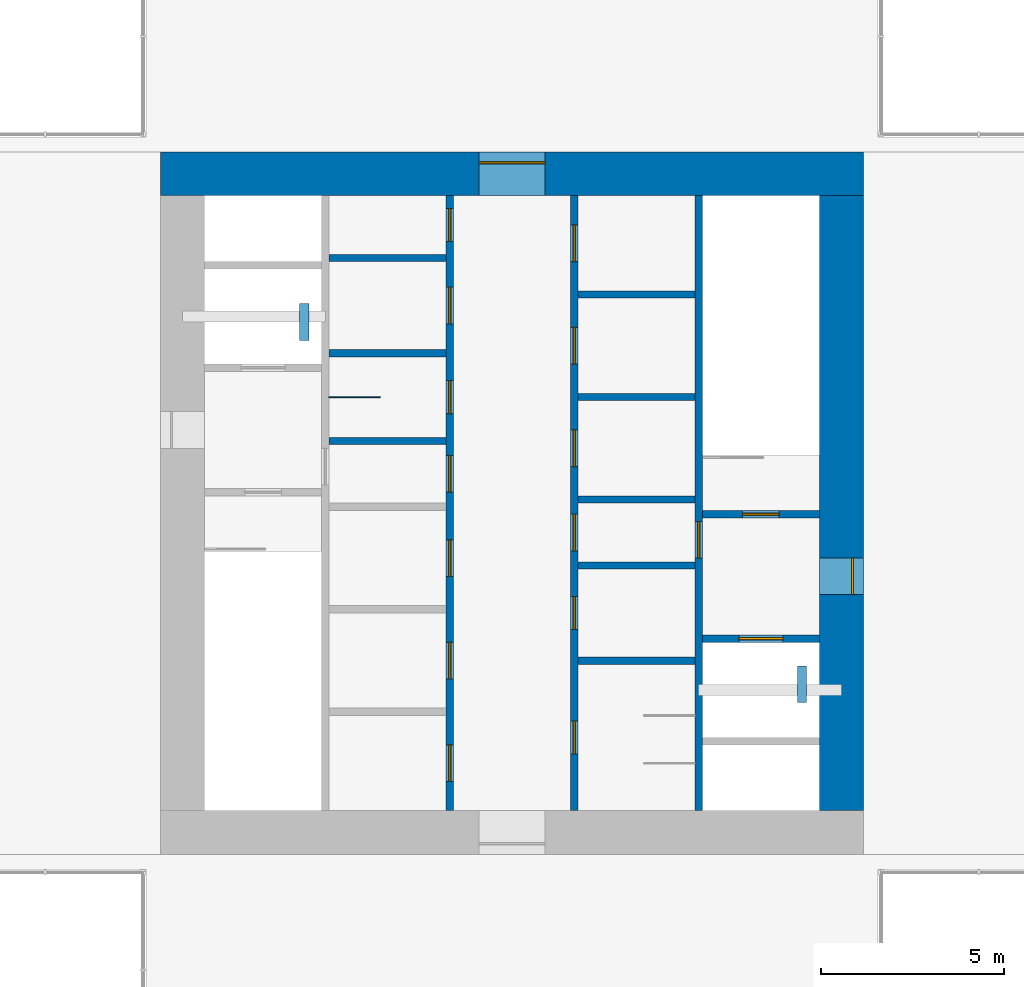
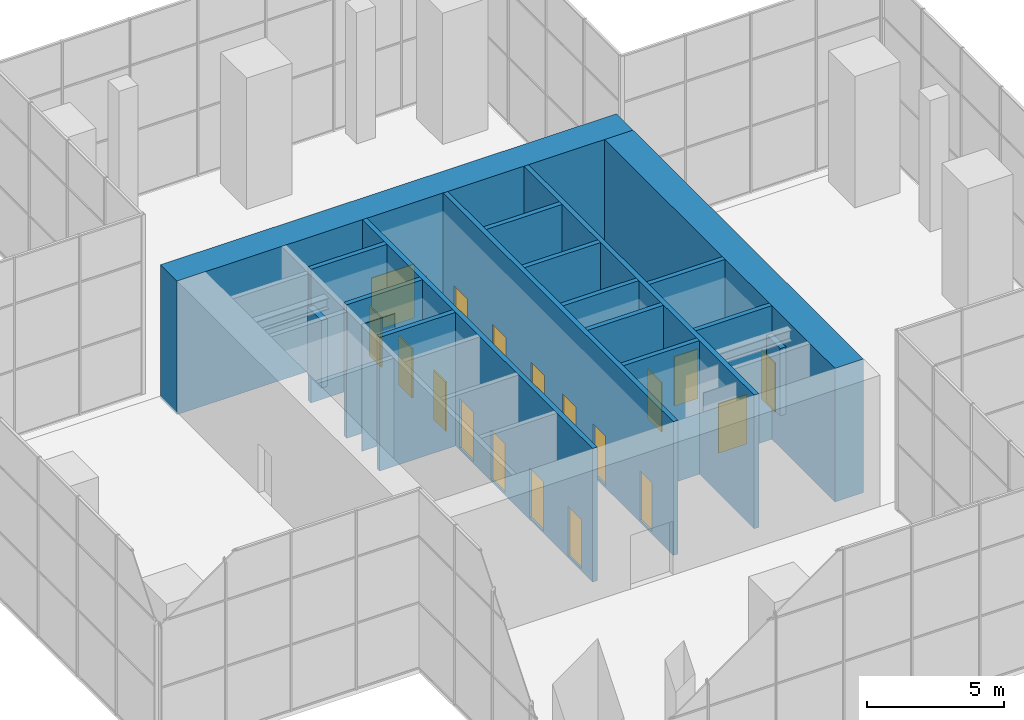
# One storey, part 11 of 12: 18 doors, 16 walls, 2 discrete accessories, 18 openings.
"""IFC4 building model written with IfcOpenShell, lengths in metres."""

from ifc_helpers import new_model, si_unit, direction, frame, frame_2d, origin, origin_2d, place, context, subcontext, project, spatial, rectangle, extrude, material, layer, layer_set, type_object, element, fill, save


model = new_model("IFC4")

# Units and contexts
model_context = context("Model", 3, precision=1e-05, world=origin(), true_north=direction((0.0, 1.0)))
body_context = subcontext(model_context, "Body", "Model", "MODEL_VIEW")
ifc_project = project(units=[si_unit("LENGTHUNIT", "METRE"), si_unit("AREAUNIT", "SQUARE_METRE"), si_unit("VOLUMEUNIT", "CUBIC_METRE"), si_unit("PLANEANGLEUNIT", "RADIAN"), si_unit("MASSUNIT", "GRAM", prefix="KILO")], contexts=[model_context])

# Site, building, storey
site_placement = place(None, origin())
site = spatial("IfcSite", under=ifc_project, at=site_placement, CompositionType="ELEMENT")
building_placement = place(site_placement, origin())
building = spatial("IfcBuilding", under=site, at=building_placement, Name="Svetlomir Tower", CompositionType="ELEMENT")
storey_placement = place(building_placement, frame((0.0, 0.0, 283.89990234375)))
storey = spatial("IfcBuildingStorey", under=building, at=storey_placement, Name="L67", CompositionType="ELEMENT", Elevation=283.89990234375)

# Wall, openings, doors
ifc_material_1 = material(Name="Concrete C60/75", Category="concrete")
ifc_layer_1 = layer(ifc_material_1, 0.199951171875)
ifc_layer_set_1 = layer_set([ifc_layer_1], Name="Concrete C60/75")
wall_type_1 = type_object("IfcWallType", Name="CORE INNER WALL 200", PredefinedType="SHEAR", material=ifc_layer_set_1)
wall_1_placement = place(storey_placement, frame((19.300048828125, 12.60009765625, -0.099853515625), z_axis=(0.0, 0.0, 1.0), x_axis=(0.0, 1.0, 0.0)))
wall_1 = element("IfcWall", 1, at=wall_1_placement, inside=storey, type_object=wall_type_1, Name="Core inner wall 19.3 L67", PredefinedType="SHEAR", context=body_context, shape_type="SweptSolid", body=[
    extrude(rectangle(XDim=16.7998046875, YDim=0.199951171875, at=frame_2d((8.39990234375, 0.0))), origin(), (0.0, 0.0, 1.0), 5.949951171875),
])
opening_1_placement = place(wall_1_placement, frame((8.699951171875, 0.0, 0.10009765625)))
opening_1 = element("IfcOpeningElement", 2, at=opening_1_placement, cuts=wall_1, Name="Opening DC", PredefinedType="OPENING", context=body_context, shape_type="SweptSolid", body=[
    extrude(rectangle(XDim=1.0, YDim=2.199951171875, at=frame_2d((0.5, 1.10009765625))), frame((0.0, 0.10986328125, 0.0), z_axis=(0.0, -1.0, 0.0), x_axis=(1.0, 0.0, 0.0)), (0.0, 0.0, 1.0), 0.219970703125),
])
opening_2_placement = place(wall_1_placement, frame((10.85009765625, 0.0, 0.10009765625)))
opening_2 = element("IfcOpeningElement", 3, at=opening_2_placement, cuts=wall_1, Name="Opening DW", PredefinedType="OPENING", context=body_context, shape_type="SweptSolid", body=[
    extrude(rectangle(XDim=0.89990234375, YDim=2.199951171875, at=frame_2d((0.449951171875, 1.10009765625))), frame((0.0, 0.10986328125, 0.0), z_axis=(0.0, -1.0, 0.0), x_axis=(1.0, 0.0, 0.0)), (0.0, 0.0, 1.0), 0.219970703125),
])
opening_3_placement = place(wall_1_placement, frame((13.300048828125, 0.0, 0.10009765625)))
opening_3 = element("IfcOpeningElement", 4, at=opening_3_placement, cuts=wall_1, Name="Opening DC", PredefinedType="OPENING", context=body_context, shape_type="SweptSolid", body=[
    extrude(rectangle(XDim=1.0, YDim=2.199951171875, at=frame_2d((0.5, 1.10009765625))), frame((0.0, 0.10986328125, 0.0), z_axis=(0.0, -1.0, 0.0), x_axis=(1.0, 0.0, 0.0)), (0.0, 0.0, 1.0), 0.219970703125),
])
opening_4_placement = place(wall_1_placement, frame((15.550048828125, 0.0, 0.10009765625)))
opening_4 = element("IfcOpeningElement", 5, at=opening_4_placement, cuts=wall_1, Name="Opening DW", PredefinedType="OPENING", context=body_context, shape_type="SweptSolid", body=[
    extrude(rectangle(XDim=0.89990234375, YDim=2.199951171875, at=frame_2d((0.449951171875, 1.10009765625))), frame((0.0, 0.10986328125, 0.0), z_axis=(0.0, -1.0, 0.0), x_axis=(1.0, 0.0, 0.0)), (0.0, 0.0, 1.0), 0.219970703125),
])
opening_5_placement = place(wall_1_placement, frame((0.800048828125, 0.0, 0.10009765625)))
opening_5 = element("IfcOpeningElement", 6, at=opening_5_placement, cuts=wall_1, Name="Opening DC", PredefinedType="OPENING", context=body_context, shape_type="SweptSolid", body=[
    extrude(rectangle(XDim=1.0, YDim=2.199951171875, at=frame_2d((0.5, 1.10009765625))), frame((0.0, 0.10986328125, 0.0), z_axis=(0.0, -1.0, 0.0), x_axis=(1.0, 0.0, 0.0)), (0.0, 0.0, 1.0), 0.219970703125),
])
opening_6_placement = place(wall_1_placement, frame((3.60009765625, 0.0, 0.10009765625)))
opening_6 = element("IfcOpeningElement", 7, at=opening_6_placement, cuts=wall_1, Name="Opening DC", PredefinedType="OPENING", context=body_context, shape_type="SweptSolid", body=[
    extrude(rectangle(XDim=1.0, YDim=2.199951171875, at=frame_2d((0.5, 1.10009765625))), frame((0.0, 0.10986328125, 0.0), z_axis=(0.0, -1.0, 0.0), x_axis=(1.0, 0.0, 0.0)), (0.0, 0.0, 1.0), 0.219970703125),
])
opening_7_placement = place(wall_1_placement, frame((6.39990234375, 0.0, 0.10009765625)))
opening_7 = element("IfcOpeningElement", 8, at=opening_7_placement, cuts=wall_1, Name="Opening DC", PredefinedType="OPENING", context=body_context, shape_type="SweptSolid", body=[
    extrude(rectangle(XDim=1.0, YDim=2.199951171875, at=frame_2d((0.5, 1.10009765625))), frame((0.0, 0.10986328125, 0.0), z_axis=(0.0, -1.0, 0.0), x_axis=(1.0, 0.0, 0.0)), (0.0, 0.0, 1.0), 0.219970703125),
])
ifc_material_2 = material(Name="Timber fire door", Category="wood")
door_type_1 = type_object("IfcDoorType", Name="DOOR DC 1000x2200", OperationType="SINGLE_SWING_LEFT", PredefinedType="DOOR", material=ifc_material_2)
door_1_placement = place(opening_1_placement, origin())
door_1 = element("IfcDoor", 9, at=door_1_placement, inside=storey, type_object=door_type_1, Name="Core corridor west lobby door L67", OperationType="SINGLE_SWING_LEFT", OverallHeight=2.199951171875, OverallWidth=1.0, PredefinedType="DOOR", context=body_context, shape_type="SweptSolid", body=[
    extrude(rectangle(XDim=1.0, YDim=2.199951171875, at=frame_2d((0.5, 1.10009765625))), frame((0.0, 0.02490234375, 0.0), z_axis=(0.0, -1.0, 0.0), x_axis=(1.0, 0.0, 0.0)), (0.0, 0.0, 1.0), 0.050048828125),
])
fill(opening_1, door_1)
door_2_placement = place(opening_3_placement, origin())
door_2 = element("IfcDoor", 10, at=door_2_placement, inside=storey, type_object=door_type_1, Name="Accessible WC door L67", OperationType="SINGLE_SWING_RIGHT", OverallHeight=2.199951171875, OverallWidth=1.0, PredefinedType="DOOR", context=body_context, shape_type="SweptSolid", body=[
    extrude(rectangle(XDim=1.0, YDim=2.199951171875, at=frame_2d((0.5, 1.10009765625))), frame((0.0, 0.02490234375, 0.0), z_axis=(0.0, -1.0, 0.0), x_axis=(1.0, 0.0, 0.0)), (0.0, 0.0, 1.0), 0.050048828125),
])
fill(opening_3, door_2)
door_3_placement = place(opening_5_placement, origin())
door_3 = element("IfcDoor", 11, at=door_3_placement, inside=storey, type_object=door_type_1, Name="Converted shaft BANK-W1 room door L67", OperationType="SINGLE_SWING_RIGHT", OverallHeight=2.199951171875, OverallWidth=1.0, PredefinedType="DOOR", context=body_context, shape_type="SweptSolid", body=[
    extrude(rectangle(XDim=1.0, YDim=2.199951171875, at=frame_2d((0.5, 1.10009765625))), frame((0.0, 0.02490234375, 0.0), z_axis=(0.0, -1.0, 0.0), x_axis=(1.0, 0.0, 0.0)), (0.0, 0.0, 1.0), 0.050048828125),
])
fill(opening_5, door_3)
door_4_placement = place(opening_6_placement, origin())
door_4 = element("IfcDoor", 12, at=door_4_placement, inside=storey, type_object=door_type_1, Name="Converted shaft BANK-W2 room door L67", OperationType="SINGLE_SWING_LEFT", OverallHeight=2.199951171875, OverallWidth=1.0, PredefinedType="DOOR", context=body_context, shape_type="SweptSolid", body=[
    extrude(rectangle(XDim=1.0, YDim=2.199951171875, at=frame_2d((0.5, 1.10009765625))), frame((0.0, 0.02490234375, 0.0), z_axis=(0.0, -1.0, 0.0), x_axis=(1.0, 0.0, 0.0)), (0.0, 0.0, 1.0), 0.050048828125),
])
fill(opening_6, door_4)
door_5_placement = place(opening_7_placement, origin())
door_5 = element("IfcDoor", 13, at=door_5_placement, inside=storey, type_object=door_type_1, Name="Converted shaft BANK-W3 room door L67", OperationType="SINGLE_SWING_RIGHT", OverallHeight=2.199951171875, OverallWidth=1.0, PredefinedType="DOOR", context=body_context, shape_type="SweptSolid", body=[
    extrude(rectangle(XDim=1.0, YDim=2.199951171875, at=frame_2d((0.5, 1.10009765625))), frame((0.0, 0.02490234375, 0.0), z_axis=(0.0, -1.0, 0.0), x_axis=(1.0, 0.0, 0.0)), (0.0, 0.0, 1.0), 0.050048828125),
])
fill(opening_7, door_5)
ifc_material_3 = material(Name="Timber fire door", Category="wood")
door_type_2 = type_object("IfcDoorType", Name="DOOR DW 900x2200", OperationType="SINGLE_SWING_LEFT", PredefinedType="DOOR", material=ifc_material_3)
door_6_placement = place(opening_2_placement, origin())
door_6 = element("IfcDoor", 14, at=door_6_placement, inside=storey, type_object=door_type_2, Name="Female WC door L67", OperationType="SINGLE_SWING_LEFT", OverallHeight=2.199951171875, OverallWidth=0.89990234375, PredefinedType="DOOR", context=body_context, shape_type="SweptSolid", body=[
    extrude(rectangle(XDim=0.89990234375, YDim=2.199951171875, at=frame_2d((0.449951171875, 1.10009765625))), frame((0.0, 0.02490234375, 0.0), z_axis=(0.0, -1.0, 0.0), x_axis=(1.0, 0.0, 0.0)), (0.0, 0.0, 1.0), 0.050048828125),
])
fill(opening_2, door_6)
door_7_placement = place(opening_4_placement, origin())
door_7 = element("IfcDoor", 15, at=door_7_placement, inside=storey, type_object=door_type_2, Name="Cleaner's store door L67", OperationType="SINGLE_SWING_LEFT", OverallHeight=2.199951171875, OverallWidth=0.89990234375, PredefinedType="DOOR", context=body_context, shape_type="SweptSolid", body=[
    extrude(rectangle(XDim=0.89990234375, YDim=2.199951171875, at=frame_2d((0.449951171875, 1.10009765625))), frame((0.0, 0.02490234375, 0.0), z_axis=(0.0, -1.0, 0.0), x_axis=(1.0, 0.0, 0.0)), (0.0, 0.0, 1.0), 0.050048828125),
])
fill(opening_4, door_7)

wall_2_placement = place(storey_placement, frame((22.699951171875, 12.60009765625, -0.099853515625), z_axis=(0.0, 0.0, 1.0), x_axis=(0.0, 1.0, 0.0)))
wall_2 = element("IfcWall", 16, at=wall_2_placement, inside=storey, type_object=wall_type_1, Name="Core inner wall 22.7 L67", PredefinedType="SHEAR", context=body_context, shape_type="SweptSolid", body=[
    extrude(rectangle(XDim=16.7998046875, YDim=0.199951171875, at=frame_2d((8.39990234375, 0.0))), origin(), (0.0, 0.0, 1.0), 5.949951171875),
])
opening_8_placement = place(wall_2_placement, frame((7.10009765625, 0.0, 0.10009765625)))
opening_8 = element("IfcOpeningElement", 17, at=opening_8_placement, cuts=wall_2, Name="Opening DC", PredefinedType="OPENING", context=body_context, shape_type="SweptSolid", body=[
    extrude(rectangle(XDim=1.0, YDim=2.199951171875, at=frame_2d((0.5, 1.10009765625))), frame((0.0, 0.10986328125, 0.0), z_axis=(0.0, -1.0, 0.0), x_axis=(1.0, 0.0, 0.0)), (0.0, 0.0, 1.0), 0.219970703125),
])
opening_9_placement = place(wall_2_placement, frame((1.550048828125, 0.0, 0.10009765625)))
opening_9 = element("IfcOpeningElement", 18, at=opening_9_placement, cuts=wall_2, Name="Opening DW", PredefinedType="OPENING", context=body_context, shape_type="SweptSolid", body=[
    extrude(rectangle(XDim=0.89990234375, YDim=2.199951171875, at=frame_2d((0.449951171875, 1.10009765625))), frame((0.0, 0.10986328125, 0.0), z_axis=(0.0, -1.0, 0.0), x_axis=(1.0, 0.0, 0.0)), (0.0, 0.0, 1.0), 0.219970703125),
])
opening_10_placement = place(wall_2_placement, frame((4.949951171875, 0.0, 0.10009765625)))
opening_10 = element("IfcOpeningElement", 19, at=opening_10_placement, cuts=wall_2, Name="Opening DW", PredefinedType="OPENING", context=body_context, shape_type="SweptSolid", body=[
    extrude(rectangle(XDim=0.89990234375, YDim=2.199951171875, at=frame_2d((0.449951171875, 1.10009765625))), frame((0.0, 0.10986328125, 0.0), z_axis=(0.0, -1.0, 0.0), x_axis=(1.0, 0.0, 0.0)), (0.0, 0.0, 1.0), 0.219970703125),
])
opening_11_placement = place(wall_2_placement, frame((9.39990234375, 0.0, 0.10009765625)))
opening_11 = element("IfcOpeningElement", 20, at=opening_11_placement, cuts=wall_2, Name="Opening DC", PredefinedType="OPENING", context=body_context, shape_type="SweptSolid", body=[
    extrude(rectangle(XDim=1.0, YDim=2.199951171875, at=frame_2d((0.5, 1.10009765625))), frame((0.0, 0.10986328125, 0.0), z_axis=(0.0, -1.0, 0.0), x_axis=(1.0, 0.0, 0.0)), (0.0, 0.0, 1.0), 0.219970703125),
])
opening_12_placement = place(wall_2_placement, frame((12.199951171875, 0.0, 0.10009765625)))
opening_12 = element("IfcOpeningElement", 21, at=opening_12_placement, cuts=wall_2, Name="Opening DC", PredefinedType="OPENING", context=body_context, shape_type="SweptSolid", body=[
    extrude(rectangle(XDim=1.0, YDim=2.199951171875, at=frame_2d((0.5, 1.10009765625))), frame((0.0, 0.10986328125, 0.0), z_axis=(0.0, -1.0, 0.0), x_axis=(1.0, 0.0, 0.0)), (0.0, 0.0, 1.0), 0.219970703125),
])
opening_13_placement = place(wall_2_placement, frame((15.0, 0.0, 0.10009765625)))
opening_13 = element("IfcOpeningElement", 22, at=opening_13_placement, cuts=wall_2, Name="Opening DC", PredefinedType="OPENING", context=body_context, shape_type="SweptSolid", body=[
    extrude(rectangle(XDim=1.0, YDim=2.199951171875, at=frame_2d((0.5, 1.10009765625))), frame((0.0, 0.10986328125, 0.0), z_axis=(0.0, -1.0, 0.0), x_axis=(1.0, 0.0, 0.0)), (0.0, 0.0, 1.0), 0.219970703125),
])
door_8_placement = place(opening_8_placement, origin())
door_8 = element("IfcDoor", 23, at=door_8_placement, inside=storey, type_object=door_type_1, Name="Core corridor east lobby door L67", OperationType="SINGLE_SWING_RIGHT", OverallHeight=2.199951171875, OverallWidth=1.0, PredefinedType="DOOR", context=body_context, shape_type="SweptSolid", body=[
    extrude(rectangle(XDim=1.0, YDim=2.199951171875, at=frame_2d((0.5, 1.10009765625))), frame((0.0, 0.02490234375, 0.0), z_axis=(0.0, -1.0, 0.0), x_axis=(1.0, 0.0, 0.0)), (0.0, 0.0, 1.0), 0.050048828125),
])
fill(opening_8, door_8)
door_9_placement = place(opening_11_placement, origin())
door_9 = element("IfcDoor", 24, at=door_9_placement, inside=storey, type_object=door_type_1, Name="Converted shaft BANK-E1 room door L67", OperationType="SINGLE_SWING_LEFT", OverallHeight=2.199951171875, OverallWidth=1.0, PredefinedType="DOOR", context=body_context, shape_type="SweptSolid", body=[
    extrude(rectangle(XDim=1.0, YDim=2.199951171875, at=frame_2d((0.5, 1.10009765625))), frame((0.0, 0.02490234375, 0.0), z_axis=(0.0, -1.0, 0.0), x_axis=(1.0, 0.0, 0.0)), (0.0, 0.0, 1.0), 0.050048828125),
])
fill(opening_11, door_9)
door_10_placement = place(opening_12_placement, origin())
door_10 = element("IfcDoor", 25, at=door_10_placement, inside=storey, type_object=door_type_1, Name="Converted shaft BANK-E2 room door L67", OperationType="SINGLE_SWING_RIGHT", OverallHeight=2.199951171875, OverallWidth=1.0, PredefinedType="DOOR", context=body_context, shape_type="SweptSolid", body=[
    extrude(rectangle(XDim=1.0, YDim=2.199951171875, at=frame_2d((0.5, 1.10009765625))), frame((0.0, 0.02490234375, 0.0), z_axis=(0.0, -1.0, 0.0), x_axis=(1.0, 0.0, 0.0)), (0.0, 0.0, 1.0), 0.050048828125),
])
fill(opening_12, door_10)
door_11_placement = place(opening_13_placement, origin())
door_11 = element("IfcDoor", 26, at=door_11_placement, inside=storey, type_object=door_type_1, Name="Converted shaft BANK-E3 room door L67", OperationType="SINGLE_SWING_LEFT", OverallHeight=2.199951171875, OverallWidth=1.0, PredefinedType="DOOR", context=body_context, shape_type="SweptSolid", body=[
    extrude(rectangle(XDim=1.0, YDim=2.199951171875, at=frame_2d((0.5, 1.10009765625))), frame((0.0, 0.02490234375, 0.0), z_axis=(0.0, -1.0, 0.0), x_axis=(1.0, 0.0, 0.0)), (0.0, 0.0, 1.0), 0.050048828125),
])
fill(opening_13, door_11)
door_12_placement = place(opening_9_placement, origin())
door_12 = element("IfcDoor", 27, at=door_12_placement, inside=storey, type_object=door_type_2, Name="Male WC door L67", OperationType="SINGLE_SWING_RIGHT", OverallHeight=2.199951171875, OverallWidth=0.89990234375, PredefinedType="DOOR", context=body_context, shape_type="SweptSolid", body=[
    extrude(rectangle(XDim=0.89990234375, YDim=2.199951171875, at=frame_2d((0.449951171875, 1.10009765625))), frame((0.0, 0.02490234375, 0.0), z_axis=(0.0, -1.0, 0.0), x_axis=(1.0, 0.0, 0.0)), (0.0, 0.0, 1.0), 0.050048828125),
])
fill(opening_9, door_12)
door_13_placement = place(opening_10_placement, origin())
door_13 = element("IfcDoor", 28, at=door_13_placement, inside=storey, type_object=door_type_2, Name="Comms room door L67", OperationType="SINGLE_SWING_LEFT", OverallHeight=2.199951171875, OverallWidth=0.89990234375, PredefinedType="DOOR", context=body_context, shape_type="SweptSolid", body=[
    extrude(rectangle(XDim=0.89990234375, YDim=2.199951171875, at=frame_2d((0.449951171875, 1.10009765625))), frame((0.0, 0.02490234375, 0.0), z_axis=(0.0, -1.0, 0.0), x_axis=(1.0, 0.0, 0.0)), (0.0, 0.0, 1.0), 0.050048828125),
])
fill(opening_10, door_13)

# Wall, opening, door
wall_3_placement = place(storey_placement, frame((26.10009765625, 12.60009765625, -0.099853515625), z_axis=(0.0, 0.0, 1.0), x_axis=(0.0, 1.0, 0.0)))
wall_3 = element("IfcWall", 29, at=wall_3_placement, inside=storey, type_object=wall_type_1, Name="Core inner wall 26.1 L67", PredefinedType="SHEAR", context=body_context, shape_type="SweptSolid", body=[
    extrude(rectangle(XDim=16.7998046875, YDim=0.199951171875, at=frame_2d((8.39990234375, 0.0))), origin(), (0.0, 0.0, 1.0), 5.949951171875),
])
opening_14_placement = place(wall_3_placement, frame((6.89990234375, 0.0, 0.10009765625)))
opening_14 = element("IfcOpeningElement", 30, at=opening_14_placement, cuts=wall_3, Name="Opening DF", PredefinedType="OPENING", context=body_context, shape_type="SweptSolid", body=[
    extrude(rectangle(XDim=1.0, YDim=2.199951171875, at=frame_2d((0.5, 1.10009765625))), frame((0.0, 0.10986328125, 0.0), z_axis=(0.0, -1.0, 0.0), x_axis=(1.0, 0.0, 0.0)), (0.0, 0.0, 1.0), 0.219970703125),
])
ifc_material_4 = material(Name="Steel fire door", Category="steel")
door_type_3 = type_object("IfcDoorType", Name="DOOR DF 1000x2200", OperationType="SINGLE_SWING_LEFT", PredefinedType="DOOR", material=ifc_material_4)
door_14_placement = place(opening_14_placement, origin())
door_14 = element("IfcDoor", 31, at=door_14_placement, inside=storey, type_object=door_type_3, Name="Core corridor east door L67", OperationType="SINGLE_SWING_LEFT", OverallHeight=2.199951171875, OverallWidth=1.0, PredefinedType="DOOR", context=body_context, shape_type="SweptSolid", body=[
    extrude(rectangle(XDim=1.0, YDim=2.199951171875, at=frame_2d((0.5, 1.10009765625))), frame((0.0, 0.02490234375, 0.0), z_axis=(0.0, -1.0, 0.0), x_axis=(1.0, 0.0, 0.0)), (0.0, 0.0, 1.0), 0.050048828125),
])
fill(opening_14, door_14)

# Walls
for number, where, z_axis, x_axis, name in (
    (32, (16.0, 22.699951171875, -0.099853515625), (0.0, 0.0, 1.0), (1.0, 0.0, 0.0), "Core inner wall 16-19.2/22.7 L67"),
    (33, (16.0, 25.10009765625, -0.099853515625), (0.0, 0.0, 1.0), (1.0, 0.0, 0.0), "Core inner wall 16-19.2/25.1 L67"),
    (34, (16.0, 27.699951171875, -0.099853515625), (0.0, 0.0, 1.0), (1.0, 0.0, 0.0), "Core inner wall 16-19.2/27.7 L67"),
    (35, (22.800048828125, 16.699951171875, -0.099853515625), (0.0, 0.0, 1.0), (1.0, 0.0, 0.0), "Core inner wall 22.8-26/16.7 L67"),
    (36, (22.800048828125, 19.300048828125, -0.099853515625), (0.0, 0.0, 1.0), (1.0, 0.0, 0.0), "Core inner wall 22.8-26/19.3 L67"),
    (37, (22.800048828125, 21.10009765625, -0.099853515625), (0.0, 0.0, 1.0), (1.0, 0.0, 0.0), "Core inner wall 22.8-26/21.1 L67"),
    (38, (22.800048828125, 23.89990234375, -0.099853515625), (0.0, 0.0, 1.0), (1.0, 0.0, 0.0), "Core inner wall 22.8-26/23.9 L67"),
    (39, (22.800048828125, 26.699951171875, -0.099853515625), (0.0, 0.0, 1.0), (1.0, 0.0, 0.0), "Core inner wall 22.8-26/26.7 L67"),
):
    element("IfcWall", number, at=place(storey_placement, frame(where, z_axis=z_axis, x_axis=x_axis)), inside=storey, type_object=wall_type_1, Name=name, PredefinedType="SHEAR", context=body_context, shape_type="SweptSolid", body=[
        extrude(rectangle(XDim=3.199951171875, YDim=0.199951171875, at=frame_2d((1.60009765625, 0.0))), origin(), (0.0, 0.0, 1.0), 5.949951171875),
    ])

# Wall, opening, door
wall_4_placement = place(storey_placement, frame((26.199951171875, 17.300048828125, -0.099853515625), z_axis=(0.0, 0.0, 1.0), x_axis=(1.0, 0.0, 0.0)))
wall_4 = element("IfcWall", 40, at=wall_4_placement, inside=storey, type_object=wall_type_1, Name="Core inner wall 26.2-29.4/17.3 L67", PredefinedType="SHEAR", context=body_context, shape_type="SweptSolid", body=[
    extrude(rectangle(XDim=3.199951171875, YDim=0.199951171875, at=frame_2d((1.60009765625, 0.0))), origin(), (0.0, 0.0, 1.0), 5.949951171875),
])
opening_15_placement = place(wall_4_placement, frame((1.0, 0.0, 0.10009765625)))
opening_15 = element("IfcOpeningElement", 41, at=opening_15_placement, cuts=wall_4, Name="Opening LD3", PredefinedType="OPENING", context=body_context, shape_type="SweptSolid", body=[
    extrude(rectangle(XDim=1.199951171875, YDim=2.199951171875, at=frame_2d((0.60009765625, 1.10009765625))), frame((0.0, 0.10986328125, 0.0), z_axis=(0.0, -1.0, 0.0), x_axis=(1.0, 0.0, 0.0)), (0.0, 0.0, 1.0), 0.219970703125),
])
ifc_material_5 = material(Name="Stainless steel fire-rated landing door", Category="steel")
door_type_4 = type_object("IfcDoorType", Name="FIREFIGHTING LIFT LANDING DOOR LD3 1200x2200", OperationType="DOUBLE_DOOR_SLIDING", PredefinedType="DOOR", material=ifc_material_5)
door_15_placement = place(opening_15_placement, origin())
door_15 = element("IfcDoor", 42, at=door_15_placement, inside=storey, type_object=door_type_4, Name="Landing door lift FL2 L67", OperationType="DOUBLE_DOOR_SLIDING", OverallHeight=2.199951171875, OverallWidth=1.199951171875, PredefinedType="DOOR", context=body_context, shape_type="SweptSolid", body=[
    extrude(rectangle(XDim=1.199951171875, YDim=2.199951171875, at=frame_2d((0.60009765625, 1.10009765625))), frame((0.0, 0.02490234375, 0.0), z_axis=(0.0, -1.0, 0.0), x_axis=(1.0, 0.0, 0.0)), (0.0, 0.0, 1.0), 0.050048828125),
])
fill(opening_15, door_15)

wall_5_placement = place(storey_placement, frame((26.199951171875, 20.699951171875, -0.099853515625), z_axis=(0.0, 0.0, 1.0), x_axis=(1.0, 0.0, 0.0)))
wall_5 = element("IfcWall", 43, at=wall_5_placement, inside=storey, type_object=wall_type_1, Name="Core inner wall 26.2-29.4/20.7 L67", PredefinedType="SHEAR", context=body_context, shape_type="SweptSolid", body=[
    extrude(rectangle(XDim=3.199951171875, YDim=0.199951171875, at=frame_2d((1.60009765625, 0.0))), origin(), (0.0, 0.0, 1.0), 5.949951171875),
])
opening_16_placement = place(wall_5_placement, frame((1.10009765625, 0.0, 0.10009765625)))
opening_16 = element("IfcOpeningElement", 44, at=opening_16_placement, cuts=wall_5, Name="Opening DF", PredefinedType="OPENING", context=body_context, shape_type="SweptSolid", body=[
    extrude(rectangle(XDim=1.0, YDim=2.199951171875, at=frame_2d((0.5, 1.10009765625))), frame((0.0, 0.10986328125, 0.0), z_axis=(0.0, -1.0, 0.0), x_axis=(1.0, 0.0, 0.0)), (0.0, 0.0, 1.0), 0.219970703125),
])
door_16_placement = place(opening_16_placement, origin())
door_16 = element("IfcDoor", 45, at=door_16_placement, inside=storey, type_object=door_type_3, Name="Stair S2 door L67", OperationType="SINGLE_SWING_RIGHT", OverallHeight=2.199951171875, OverallWidth=1.0, PredefinedType="DOOR", context=body_context, shape_type="SweptSolid", body=[
    extrude(rectangle(XDim=1.0, YDim=2.199951171875, at=frame_2d((0.5, 1.10009765625))), frame((0.0, 0.02490234375, 0.0), z_axis=(0.0, -1.0, 0.0), x_axis=(1.0, 0.0, 0.0)), (0.0, 0.0, 1.0), 0.050048828125),
])
fill(opening_16, door_16)

ifc_material_6 = material(Name="Concrete C60/75", Category="concrete")
ifc_layer_2 = layer(ifc_material_6, 1.199951171875)
ifc_layer_set_2 = layer_set([ifc_layer_2], Name="Concrete C60/75")
wall_type_2 = type_object("IfcWallType", Name="CORE WALL 1200", PredefinedType="SHEAR", material=ifc_layer_set_2)
wall_6_placement = place(storey_placement, frame((11.39990234375, 30.0, -0.099853515625), z_axis=(0.0, 0.0, 1.0), x_axis=(1.0, 0.0, 0.0)))
wall_6 = element("IfcWall", 46, at=wall_6_placement, inside=storey, type_object=wall_type_2, Name="Core wall north L67", PredefinedType="SHEAR", context=body_context, shape_type="SweptSolid", body=[
    extrude(rectangle(XDim=19.2001953125, YDim=1.199951171875, at=frame_2d((9.60009765625, 0.0))), origin(), (0.0, 0.0, 1.0), 5.949951171875),
])
opening_17_placement = place(wall_6_placement, frame((8.699951171875, 0.0, 0.10009765625)))
opening_17 = element("IfcOpeningElement", 47, at=opening_17_placement, cuts=wall_6, Name="Opening DP", PredefinedType="OPENING", context=body_context, shape_type="SweptSolid", body=[
    extrude(rectangle(XDim=1.800048828125, YDim=2.39990234375, at=frame_2d((0.89990234375, 1.199951171875))), frame((0.0, 0.60986328125, 0.0), z_axis=(0.0, -1.0, 0.0), x_axis=(1.0, 0.0, 0.0)), (0.0, 0.0, 1.0), 1.219970703125),
])
ifc_material_7 = material(Name="Steel fire door", Category="steel")
door_type_5 = type_object("IfcDoorType", Name="PLANT ROOM DOOR DP 1800x2400", OperationType="DOUBLE_DOOR_SINGLE_SWING", PredefinedType="DOOR", material=ifc_material_7)
door_17_placement = place(opening_17_placement, origin())
door_17 = element("IfcDoor", 48, at=door_17_placement, inside=storey, type_object=door_type_5, Name="Lift lobby north door L67", OperationType="DOUBLE_DOOR_SINGLE_SWING", OverallHeight=2.39990234375, OverallWidth=1.800048828125, PredefinedType="DOOR", context=body_context, shape_type="SweptSolid", body=[
    extrude(rectangle(XDim=1.800048828125, YDim=2.39990234375, at=frame_2d((0.89990234375, 1.199951171875))), frame((0.0, 0.3251953125, 0.0), z_axis=(0.0, -1.0, 0.0), x_axis=(1.0, 0.0, 0.0)), (0.0, 0.0, 1.0), 0.050048828125),
])
fill(opening_17, door_17)

wall_7_placement = place(storey_placement, frame((30.0, 12.60009765625, -0.099853515625), z_axis=(0.0, 0.0, 1.0), x_axis=(0.0, 1.0, 0.0)))
wall_7 = element("IfcWall", 49, at=wall_7_placement, inside=storey, type_object=wall_type_2, Name="Core wall east L67", PredefinedType="SHEAR", context=body_context, shape_type="SweptSolid", body=[
    extrude(rectangle(XDim=16.7998046875, YDim=1.199951171875, at=frame_2d((8.39990234375, 0.0))), origin(), (0.0, 0.0, 1.0), 5.949951171875),
])
opening_18_placement = place(wall_7_placement, frame((5.89990234375, 0.0, 0.10009765625)))
opening_18 = element("IfcOpeningElement", 50, at=opening_18_placement, cuts=wall_7, Name="Opening DF", PredefinedType="OPENING", context=body_context, shape_type="SweptSolid", body=[
    extrude(rectangle(XDim=1.0, YDim=2.199951171875, at=frame_2d((0.5, 1.10009765625))), frame((0.0, 0.60986328125, 0.0), z_axis=(0.0, -1.0, 0.0), x_axis=(1.0, 0.0, 0.0)), (0.0, 0.0, 1.0), 1.219970703125),
])
door_18_placement = place(opening_18_placement, origin())
door_18 = element("IfcDoor", 51, at=door_18_placement, inside=storey, type_object=door_type_3, Name="Firefighting lobby east door L67", OperationType="SINGLE_SWING_RIGHT", OverallHeight=2.199951171875, OverallWidth=1.0, PredefinedType="DOOR", context=body_context, shape_type="SweptSolid", body=[
    extrude(rectangle(XDim=1.0, YDim=2.199951171875, at=frame_2d((0.5, 1.10009765625))), frame((0.0, -0.27490234375, 0.0), z_axis=(0.0, -1.0, 0.0), x_axis=(1.0, 0.0, 0.0)), (0.0, 0.0, 1.0), 0.050048828125),
])
fill(opening_18, door_18)

# Wall
ifc_material_8 = material(Name="Compact laminate panel", Category="plastic")
ifc_layer_3 = layer(ifc_material_8, 0.030029296875)
ifc_layer_set_3 = layer_set([ifc_layer_3], Name="Compact laminate panel")
wall_type_3 = type_object("IfcWallType", Name="WC CUBICLE PARTITION 30", PredefinedType="PARTITIONING", material=ifc_layer_set_3)
wall_8_placement = place(storey_placement, frame((16.0, 23.89990234375, 0.0), z_axis=(0.0, 0.0, 1.0), x_axis=(1.0, 0.0, 0.0)))
element("IfcWall", 52, at=wall_8_placement, inside=storey, type_object=wall_type_3, Name="WC cubicle partition L67", PredefinedType="PARTITIONING", context=body_context, shape_type="SweptSolid", body=[
    extrude(rectangle(XDim=1.39990234375, YDim=0.030029296875, at=frame_2d((0.699951171875, 0.0))), origin(), (0.0, 0.0, 1.0), 5.650146484375),
])

# Discrete accessories
for number, where, z_axis, x_axis, name in (
    (53, (15.324951171875, 25.949951171875, 2.150146484375), (0.0, 0.0, 1.0), (1.0, 0.0, 0.0), "Lift FL1 counterweight"),
    (54, (28.925048828125, 16.050048828125, 2.150146484375), (0.0, 0.0, 1.0), (1.0, 0.0, 0.0), "Lift FL2 counterweight"),
):
    element("IfcDiscreteAccessory", number, at=place(storey_placement, frame(where, z_axis=z_axis, x_axis=x_axis)), inside=storey, Name=name, ObjectType="LIFT COUNTERWEIGHT", PredefinedType="USERDEFINED", context=body_context, shape_type="SweptSolid", body=[
        extrude(rectangle(XDim=0.25, YDim=1.0, at=origin_2d()), origin(), (0.0, 0.0, 1.0), 3.0),
    ])

save(model, "model.ifc")
